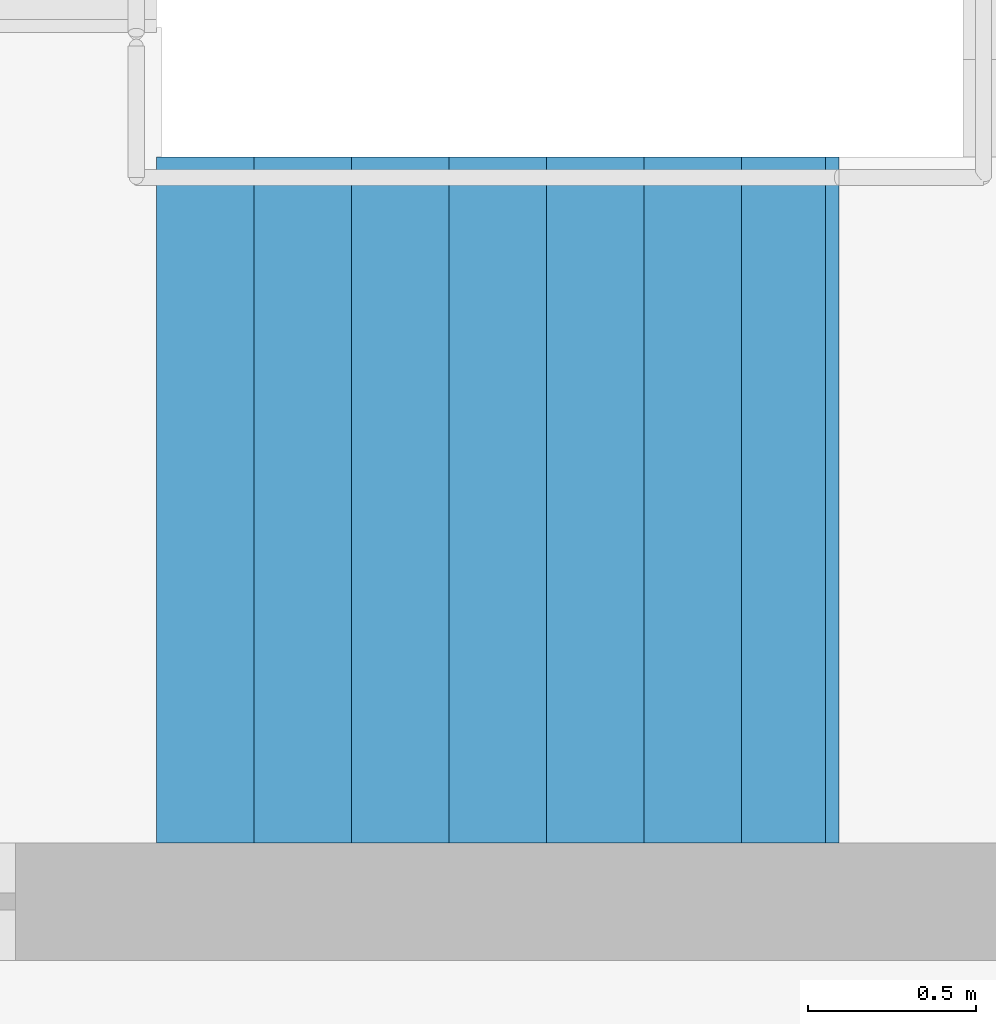
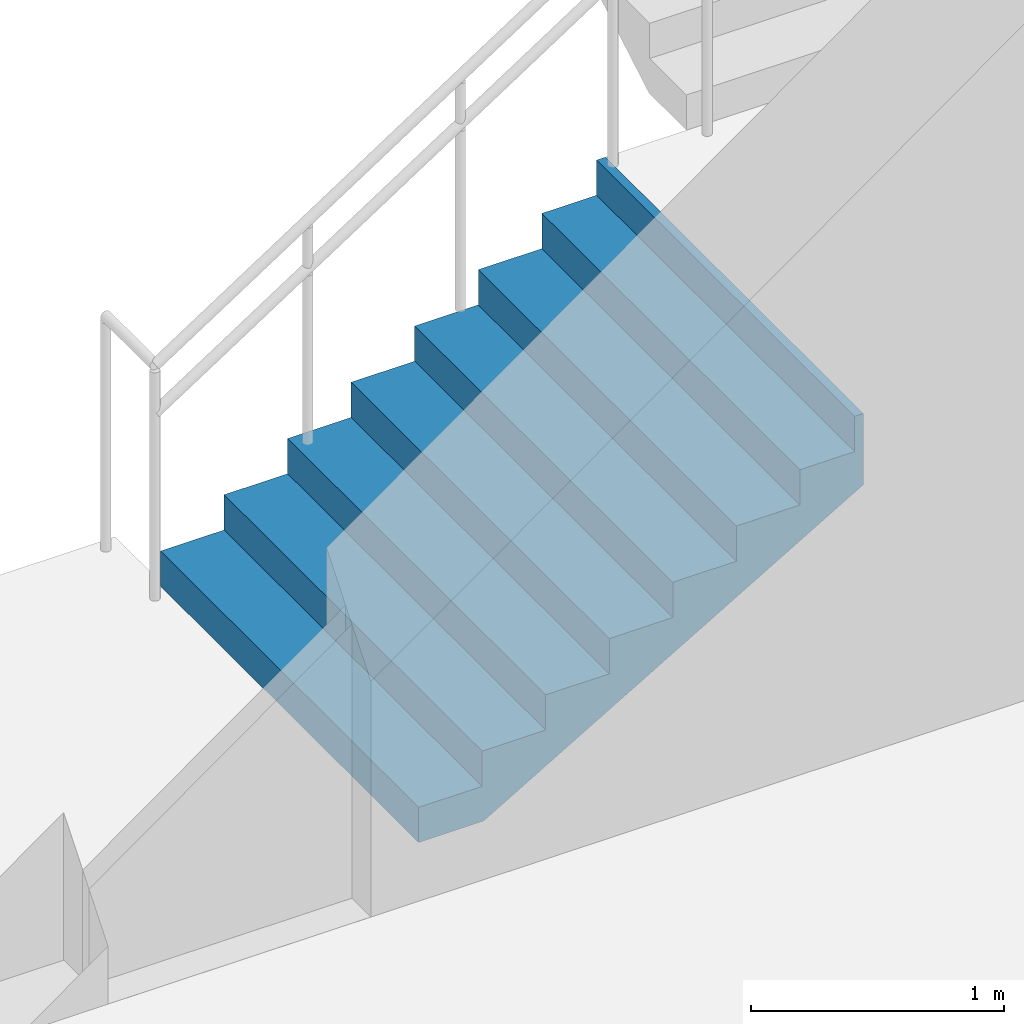
# One storey, part 50 of 72: 1 stair flight, 1 element without a shape of its own.
"""IFC4 building model written with IfcOpenShell, lengths in metres."""

from ifc_helpers import new_model, si_unit, direction, frame, origin, place, context, subcontext, project, spatial, triangles, material, type_object, element, aggregate, save


model = new_model("IFC4")

# Units and contexts
model_context = context("Model", 3, precision=1e-05, world=origin(), true_north=direction((0.0, 1.0)))
body_context = subcontext(model_context, "Body", "Model", "MODEL_VIEW")
ifc_project = project(units=[si_unit("LENGTHUNIT", "METRE"), si_unit("AREAUNIT", "SQUARE_METRE"), si_unit("VOLUMEUNIT", "CUBIC_METRE"), si_unit("PLANEANGLEUNIT", "RADIAN"), si_unit("MASSUNIT", "GRAM", prefix="KILO")], contexts=[model_context])

# Site, building, storey
site_placement = place(None, origin())
site = spatial("IfcSite", under=ifc_project, at=site_placement, CompositionType="ELEMENT")
building_placement = place(site_placement, origin())
building = spatial("IfcBuilding", under=site, at=building_placement, Name="Sillaruma Civic Art Gallery", CompositionType="ELEMENT")
storey_placement = place(building_placement, frame((0.0, 0.0, 10.8798828125)))
storey = spatial("IfcBuildingStorey", under=building, at=storey_placement, Name="L02", CompositionType="ELEMENT", Elevation=10.8798828125)

# Stair, stair flight
ifc_material = material(Name="Concrete H35 (35 MPa)", Category="concrete")
stair_type = type_object("IfcStairType", Name="STR-4F-32", PredefinedType="USERDEFINED", material=ifc_material)
stair_placement = place(storey_placement, origin())
stair = element("IfcStair", 1, at=stair_placement, inside=storey, type_object=stair_type, Name="Protected Exit Stair ST-03 (West Bar South) (L02)", ObjectType="THREE_RETURN_STAIR", PredefinedType="USERDEFINED")
stair_flight_type = type_object("IfcStairFlightType", Name="SFL-STR-8", PredefinedType="STRAIGHT", material=ifc_material)
stair_flight_placement = place(storey_placement, frame((64.800048828125, 32.429931640625, 0.0), z_axis=(0.0, 0.0, 1.0), x_axis=(1.0, 0.0, 0.0)))
stair_flight = element("IfcStairFlight", 2, at=stair_flight_placement, type_object=stair_flight_type, Name="ST-03 flight 1", NumberOfRisers=8, NumberOfTreads=7, PredefinedType="STRAIGHT", RiserHeight=0.17, TreadLength=0.29, context=body_context, shape_type="Tessellation", body=[
    triangles([(0.0, -1.02001953125, 0.0), (0.29, -1.02001953125, 0.0), (0.296443, -1.02001953125, 0.0), (0.58, -1.02001953125, 0.166223), (0.87, -1.02001953125, 0.336223), (1.16, -1.02001953125, 0.506223), (1.45, -1.02001953125, 0.676223), (1.74, -1.02001953125, 0.846223), (1.990029, -1.02001953125, 0.992792), (2.030029, -1.02001953125, 1.01624), (2.030029, -1.02001953125, 1.36), (1.990029, -1.02001953125, 1.36), (1.990029, -1.02001953125, 1.19), (1.74, -1.02001953125, 1.19), (1.74, -1.02001953125, 1.02), (1.45, -1.02001953125, 1.02), (1.45, -1.02001953125, 0.85), (1.16, -1.02001953125, 0.85), (1.16, -1.02001953125, 0.68), (0.87, -1.02001953125, 0.68), (0.87, -1.02001953125, 0.51), (0.58, -1.02001953125, 0.51), (0.58, -1.02001953125, 0.34), (0.296443, -1.02001953125, 0.34), (0.29, -1.02001953125, 0.34), (0.29, -1.02001953125, 0.17), (0.0, -1.02001953125, 0.17), (0.0, -0.05, 0.0), (0.29, -0.05, 0.0), (0.296443, -0.05, 0.0), (0.58, -0.05, 0.166223), (0.87, -0.05, 0.336223), (1.16, -0.05, 0.506223), (1.45, -0.05, 0.676223), (1.74, -0.05, 0.846223), (1.990029, -0.05, 0.992792), (2.030029, -0.05, 1.01624), (2.030029, -0.05, 1.36), (1.990029, -0.05, 1.36), (1.990029, -0.05, 1.19), (1.74, -0.05, 1.19), (1.74, -0.05, 1.02), (1.45, -0.05, 1.02), (1.45, -0.05, 0.85), (1.16, -0.05, 0.85), (1.16, -0.05, 0.68), (0.87, -0.05, 0.68), (0.87, -0.05, 0.51), (0.58, -0.05, 0.51), (0.58, -0.05, 0.34), (0.296443, -0.05, 0.34), (0.29, -0.05, 0.34), (0.29, -0.05, 0.17), (0.0, -0.05, 0.17), (0.0, -0.0375, 0.0), (0.29, -0.0375, 0.0), (0.296443, -0.0375, 0.0), (0.58, -0.0375, 0.166223), (0.87, -0.0375, 0.336223), (1.16, -0.0375, 0.506223), (1.45, -0.0375, 0.676223), (1.74, -0.0375, 0.846223), (1.990029, -0.0375, 0.992792), (2.030029, -0.0375, 1.01624), (2.030029, -0.0375, 1.36), (1.990029, -0.0375, 1.36), (1.990029, -0.0375, 1.19), (1.74, -0.0375, 1.19), (1.74, -0.0375, 1.02), (1.45, -0.0375, 1.02), (1.45, -0.0375, 0.85), (1.16, -0.0375, 0.85), (1.16, -0.0375, 0.68), (0.87, -0.0375, 0.68), (0.87, -0.0375, 0.51), (0.58, -0.0375, 0.51), (0.58, -0.0375, 0.34), (0.296443, -0.0375, 0.34), (0.29, -0.0375, 0.34), (0.29, -0.0375, 0.17), (0.0, -0.0375, 0.17), (0.0, -0.025, 0.0), (0.29, -0.025, 0.0), (0.296443, -0.025, 0.0), (0.58, -0.025, 0.166223), (0.87, -0.025, 0.336223), (1.16, -0.025, 0.506223), (1.45, -0.025, 0.676223), (1.74, -0.025, 0.846223), (1.990029, -0.025, 0.992792), (2.030029, -0.025, 1.01624), (2.030029, -0.025, 1.36), (1.990029, -0.025, 1.36), (1.990029, -0.025, 1.19), (1.74, -0.025, 1.19), (1.74, -0.025, 1.02), (1.45, -0.025, 1.02), (1.45, -0.025, 0.85), (1.16, -0.025, 0.85), (1.16, -0.025, 0.68), (0.87, -0.025, 0.68), (0.87, -0.025, 0.51), (0.58, -0.025, 0.51), (0.58, -0.025, 0.34), (0.296443, -0.025, 0.34), (0.29, -0.025, 0.34), (0.29, -0.025, 0.17), (0.0, -0.025, 0.17), (0.0, -0.0125, 0.0), (0.29, -0.0125, 0.0), (0.296443, -0.0125, 0.0), (0.58, -0.0125, 0.166223), (0.87, -0.0125, 0.336223), (1.16, -0.0125, 0.506223), (1.45, -0.0125, 0.676223), (1.74, -0.0125, 0.846223), (1.990029, -0.0125, 0.992792), (2.030029, -0.0125, 1.01624), (2.030029, -0.0125, 1.36), (1.990029, -0.0125, 1.36), (1.990029, -0.0125, 1.19), (1.74, -0.0125, 1.19), (1.74, -0.0125, 1.02), (1.45, -0.0125, 1.02), (1.45, -0.0125, 0.85), (1.16, -0.0125, 0.85), (1.16, -0.0125, 0.68), (0.87, -0.0125, 0.68), (0.87, -0.0125, 0.51), (0.58, -0.0125, 0.51), (0.58, -0.0125, 0.34), (0.296443, -0.0125, 0.34), (0.29, -0.0125, 0.34), (0.29, -0.0125, 0.17), (0.0, -0.0125, 0.17), (0.0, 0.0, 0.0), (0.29, 0.0, 0.0), (0.296443, 0.0, 0.0), (0.58, 0.0, 0.166223), (0.87, 0.0, 0.336223), (1.16, 0.0, 0.506223), (1.45, 0.0, 0.676223), (1.74, 0.0, 0.846223), (1.990029, 0.0, 0.992792), (2.030029, 0.0, 1.01624), (2.030029, 0.0, 1.36), (1.990029, 0.0, 1.36), (1.990029, 0.0, 1.19), (1.74, 0.0, 1.19), (1.74, 0.0, 1.02), (1.45, 0.0, 1.02), (1.45, 0.0, 0.85), (1.16, 0.0, 0.85), (1.16, 0.0, 0.68), (0.87, 0.0, 0.68), (0.87, 0.0, 0.51), (0.58, 0.0, 0.51), (0.58, 0.0, 0.34), (0.296443, 0.0, 0.34), (0.29, 0.0, 0.34), (0.29, 0.0, 0.17), (0.0, 0.0, 0.17), (0.0, 0.0125, 0.0), (0.29, 0.0125, 0.0), (0.296443, 0.0125, 0.0), (0.58, 0.0125, 0.166223), (0.87, 0.0125, 0.336223), (1.16, 0.0125, 0.506223), (1.45, 0.0125, 0.676223), (1.74, 0.0125, 0.846223), (1.990029, 0.0125, 0.992792), (2.030029, 0.0125, 1.01624), (2.030029, 0.0125, 1.36), (1.990029, 0.0125, 1.36), (1.990029, 0.0125, 1.19), (1.74, 0.0125, 1.19), (1.74, 0.0125, 1.02), (1.45, 0.0125, 1.02), (1.45, 0.0125, 0.85), (1.16, 0.0125, 0.85), (1.16, 0.0125, 0.68), (0.87, 0.0125, 0.68), (0.87, 0.0125, 0.51), (0.58, 0.0125, 0.51), (0.58, 0.0125, 0.34), (0.296443, 0.0125, 0.34), (0.29, 0.0125, 0.34), (0.29, 0.0125, 0.17), (0.0, 0.0125, 0.17), (0.0, 0.025, 0.0), (0.29, 0.025, 0.0), (0.296443, 0.025, 0.0), (0.58, 0.025, 0.166223), (0.87, 0.025, 0.336223), (1.16, 0.025, 0.506223), (1.45, 0.025, 0.676223), (1.74, 0.025, 0.846223), (1.990029, 0.025, 0.992792), (2.030029, 0.025, 1.01624), (2.030029, 0.025, 1.36), (1.990029, 0.025, 1.36), (1.990029, 0.025, 1.19), (1.74, 0.025, 1.19), (1.74, 0.025, 1.02), (1.45, 0.025, 1.02), (1.45, 0.025, 0.85), (1.16, 0.025, 0.85), (1.16, 0.025, 0.68), (0.87, 0.025, 0.68), (0.87, 0.025, 0.51), (0.58, 0.025, 0.51), (0.58, 0.025, 0.34), (0.296443, 0.025, 0.34), (0.29, 0.025, 0.34), (0.29, 0.025, 0.17), (0.0, 0.025, 0.17), (0.0, 0.0375, 0.0), (0.29, 0.0375, 0.0), (0.296443, 0.0375, 0.0), (0.58, 0.0375, 0.166223), (0.87, 0.0375, 0.336223), (1.16, 0.0375, 0.506223), (1.45, 0.0375, 0.676223), (1.74, 0.0375, 0.846223), (1.990029, 0.0375, 0.992792), (2.030029, 0.0375, 1.01624), (2.030029, 0.0375, 1.36), (1.990029, 0.0375, 1.36), (1.990029, 0.0375, 1.19), (1.74, 0.0375, 1.19), (1.74, 0.0375, 1.02), (1.45, 0.0375, 1.02), (1.45, 0.0375, 0.85), (1.16, 0.0375, 0.85), (1.16, 0.0375, 0.68), (0.87, 0.0375, 0.68), (0.87, 0.0375, 0.51), (0.58, 0.0375, 0.51), (0.58, 0.0375, 0.34), (0.296443, 0.0375, 0.34), (0.29, 0.0375, 0.34), (0.29, 0.0375, 0.17), (0.0, 0.0375, 0.17), (0.0, 0.05, 0.0), (0.29, 0.05, 0.0), (0.296443, 0.05, 0.0), (0.58, 0.05, 0.166223), (0.87, 0.05, 0.336223), (1.16, 0.05, 0.506223), (1.45, 0.05, 0.676223), (1.74, 0.05, 0.846223), (1.990029, 0.05, 0.992792), (2.030029, 0.05, 1.01624), (2.030029, 0.05, 1.36), (1.990029, 0.05, 1.36), (1.990029, 0.05, 1.19), (1.74, 0.05, 1.19), (1.74, 0.05, 1.02), (1.45, 0.05, 1.02), (1.45, 0.05, 0.85), (1.16, 0.05, 0.85), (1.16, 0.05, 0.68), (0.87, 0.05, 0.68), (0.87, 0.05, 0.51), (0.58, 0.05, 0.51), (0.58, 0.05, 0.34), (0.296443, 0.05, 0.34), (0.29, 0.05, 0.34), (0.29, 0.05, 0.17), (0.0, 0.05, 0.17), (0.0, 1.02001953125, 0.0), (0.29, 1.02001953125, 0.0), (0.296443, 1.02001953125, 0.0), (0.58, 1.02001953125, 0.166223), (0.87, 1.02001953125, 0.336223), (1.16, 1.02001953125, 0.506223), (1.45, 1.02001953125, 0.676223), (1.74, 1.02001953125, 0.846223), (1.990029, 1.02001953125, 0.992792), (2.030029, 1.02001953125, 1.01624), (2.030029, 1.02001953125, 1.36), (1.990029, 1.02001953125, 1.36), (1.990029, 1.02001953125, 1.19), (1.74, 1.02001953125, 1.19), (1.74, 1.02001953125, 1.02), (1.45, 1.02001953125, 1.02), (1.45, 1.02001953125, 0.85), (1.16, 1.02001953125, 0.85), (1.16, 1.02001953125, 0.68), (0.87, 1.02001953125, 0.68), (0.87, 1.02001953125, 0.51), (0.58, 1.02001953125, 0.51), (0.58, 1.02001953125, 0.34), (0.296443, 1.02001953125, 0.34), (0.29, 1.02001953125, 0.34), (0.29, 1.02001953125, 0.17), (0.0, 1.02001953125, 0.17)], [[1, 2, 26], [1, 26, 27], [2, 3, 24], [2, 24, 26], [26, 24, 25], [3, 4, 23], [3, 23, 24], [4, 5, 21], [4, 21, 23], [23, 21, 22], [5, 6, 19], [5, 19, 21], [21, 19, 20], [6, 7, 17], [6, 17, 19], [19, 17, 18], [7, 8, 15], [7, 15, 17], [17, 15, 16], [8, 9, 13], [8, 13, 15], [15, 13, 14], [9, 10, 11], [9, 11, 13], [13, 11, 12], [296, 272, 271], [297, 296, 271], [294, 273, 272], [296, 294, 272], [295, 294, 296], [293, 274, 273], [294, 293, 273], [291, 275, 274], [293, 291, 274], [292, 291, 293], [289, 276, 275], [291, 289, 275], [290, 289, 291], [287, 277, 276], [289, 287, 276], [288, 287, 289], [285, 278, 277], [287, 285, 277], [286, 285, 287], [283, 279, 278], [285, 283, 278], [284, 283, 285], [281, 280, 279], [283, 281, 279], [282, 281, 283], [2, 1, 28], [2, 28, 29], [3, 2, 29], [3, 29, 30], [4, 3, 30], [4, 30, 31], [5, 4, 31], [5, 31, 32], [6, 5, 32], [6, 32, 33], [7, 6, 33], [7, 33, 34], [8, 7, 34], [8, 34, 35], [9, 8, 35], [9, 35, 36], [10, 9, 36], [10, 36, 37], [11, 10, 37], [11, 37, 38], [12, 11, 38], [12, 38, 39], [13, 12, 39], [13, 39, 40], [14, 13, 40], [14, 40, 41], [15, 14, 41], [15, 41, 42], [16, 15, 42], [16, 42, 43], [17, 16, 43], [17, 43, 44], [18, 17, 44], [18, 44, 45], [19, 18, 45], [19, 45, 46], [20, 19, 46], [20, 46, 47], [21, 20, 47], [21, 47, 48], [22, 21, 48], [22, 48, 49], [23, 22, 49], [23, 49, 50], [24, 23, 50], [24, 50, 51], [25, 24, 51], [25, 51, 52], [26, 25, 52], [26, 52, 53], [27, 26, 53], [27, 53, 54], [1, 27, 54], [1, 54, 28], [29, 28, 55], [29, 55, 56], [30, 29, 56], [30, 56, 57], [31, 30, 57], [31, 57, 58], [32, 31, 58], [32, 58, 59], [33, 32, 59], [33, 59, 60], [34, 33, 60], [34, 60, 61], [35, 34, 61], [35, 61, 62], [36, 35, 62], [36, 62, 63], [37, 36, 63], [37, 63, 64], [38, 37, 64], [38, 64, 65], [39, 38, 65], [39, 65, 66], [40, 39, 66], [40, 66, 67], [41, 40, 67], [41, 67, 68], [42, 41, 68], [42, 68, 69], [43, 42, 69], [43, 69, 70], [44, 43, 70], [44, 70, 71], [45, 44, 71], [45, 71, 72], [46, 45, 72], [46, 72, 73], [47, 46, 73], [47, 73, 74], [48, 47, 74], [48, 74, 75], [49, 48, 75], [49, 75, 76], [50, 49, 76], [50, 76, 77], [51, 50, 77], [51, 77, 78], [52, 51, 78], [52, 78, 79], [53, 52, 79], [53, 79, 80], [54, 53, 80], [54, 80, 81], [28, 54, 81], [28, 81, 55], [56, 55, 82], [56, 82, 83], [57, 56, 83], [57, 83, 84], [58, 57, 84], [58, 84, 85], [59, 58, 85], [59, 85, 86], [60, 59, 86], [60, 86, 87], [61, 60, 87], [61, 87, 88], [62, 61, 88], [62, 88, 89], [63, 62, 89], [63, 89, 90], [64, 63, 90], [64, 90, 91], [65, 64, 91], [65, 91, 92], [66, 65, 92], [66, 92, 93], [67, 66, 93], [67, 93, 94], [68, 67, 94], [68, 94, 95], [69, 68, 95], [69, 95, 96], [70, 69, 96], [70, 96, 97], [71, 70, 97], [71, 97, 98], [72, 71, 98], [72, 98, 99], [73, 72, 99], [73, 99, 100], [74, 73, 100], [74, 100, 101], [75, 74, 101], [75, 101, 102], [76, 75, 102], [76, 102, 103], [77, 76, 103], [77, 103, 104], [78, 77, 104], [78, 104, 105], [79, 78, 105], [79, 105, 106], [80, 79, 106], [80, 106, 107], [81, 80, 107], [81, 107, 108], [55, 81, 108], [55, 108, 82], [83, 82, 109], [83, 109, 110], [84, 83, 110], [84, 110, 111], [85, 84, 111], [85, 111, 112], [86, 85, 112], [86, 112, 113], [87, 86, 113], [87, 113, 114], [88, 87, 114], [88, 114, 115], [89, 88, 115], [89, 115, 116], [90, 89, 116], [90, 116, 117], [91, 90, 117], [91, 117, 118], [92, 91, 118], [92, 118, 119], [93, 92, 119], [93, 119, 120], [94, 93, 120], [94, 120, 121], [95, 94, 121], [95, 121, 122], [96, 95, 122], [96, 122, 123], [97, 96, 123], [97, 123, 124], [98, 97, 124], [98, 124, 125], [99, 98, 125], [99, 125, 126], [100, 99, 126], [100, 126, 127], [101, 100, 127], [101, 127, 128], [102, 101, 128], [102, 128, 129], [103, 102, 129], [103, 129, 130], [104, 103, 130], [104, 130, 131], [105, 104, 131], [105, 131, 132], [106, 105, 132], [106, 132, 133], [107, 106, 133], [107, 133, 134], [108, 107, 134], [108, 134, 135], [82, 108, 135], [82, 135, 109], [110, 109, 136], [110, 136, 137], [111, 110, 137], [111, 137, 138], [112, 111, 138], [112, 138, 139], [113, 112, 139], [113, 139, 140], [114, 113, 140], [114, 140, 141], [115, 114, 141], [115, 141, 142], [116, 115, 142], [116, 142, 143], [117, 116, 143], [117, 143, 144], [118, 117, 144], [118, 144, 145], [119, 118, 145], [119, 145, 146], [120, 119, 146], [120, 146, 147], [121, 120, 147], [121, 147, 148], [122, 121, 148], [122, 148, 149], [123, 122, 149], [123, 149, 150], [124, 123, 150], [124, 150, 151], [125, 124, 151], [125, 151, 152], [126, 125, 152], [126, 152, 153], [127, 126, 153], [127, 153, 154], [128, 127, 154], [128, 154, 155], [129, 128, 155], [129, 155, 156], [130, 129, 156], [130, 156, 157], [131, 130, 157], [131, 157, 158], [132, 131, 158], [132, 158, 159], [133, 132, 159], [133, 159, 160], [134, 133, 160], [134, 160, 161], [135, 134, 161], [135, 161, 162], [109, 135, 162], [109, 162, 136], [137, 136, 163], [137, 163, 164], [138, 137, 164], [138, 164, 165], [139, 138, 165], [139, 165, 166], [140, 139, 166], [140, 166, 167], [141, 140, 167], [141, 167, 168], [142, 141, 168], [142, 168, 169], [143, 142, 169], [143, 169, 170], [144, 143, 170], [144, 170, 171], [145, 144, 171], [145, 171, 172], [146, 145, 172], [146, 172, 173], [147, 146, 173], [147, 173, 174], [148, 147, 174], [148, 174, 175], [149, 148, 175], [149, 175, 176], [150, 149, 176], [150, 176, 177], [151, 150, 177], [151, 177, 178], [152, 151, 178], [152, 178, 179], [153, 152, 179], [153, 179, 180], [154, 153, 180], [154, 180, 181], [155, 154, 181], [155, 181, 182], [156, 155, 182], [156, 182, 183], [157, 156, 183], [157, 183, 184], [158, 157, 184], [158, 184, 185], [159, 158, 185], [159, 185, 186], [160, 159, 186], [160, 186, 187], [161, 160, 187], [161, 187, 188], [162, 161, 188], [162, 188, 189], [136, 162, 189], [136, 189, 163], [164, 163, 190], [164, 190, 191], [165, 164, 191], [165, 191, 192], [166, 165, 192], [166, 192, 193], [167, 166, 193], [167, 193, 194], [168, 167, 194], [168, 194, 195], [169, 168, 195], [169, 195, 196], [170, 169, 196], [170, 196, 197], [171, 170, 197], [171, 197, 198], [172, 171, 198], [172, 198, 199], [173, 172, 199], [173, 199, 200], [174, 173, 200], [174, 200, 201], [175, 174, 201], [175, 201, 202], [176, 175, 202], [176, 202, 203], [177, 176, 203], [177, 203, 204], [178, 177, 204], [178, 204, 205], [179, 178, 205], [179, 205, 206], [180, 179, 206], [180, 206, 207], [181, 180, 207], [181, 207, 208], [182, 181, 208], [182, 208, 209], [183, 182, 209], [183, 209, 210], [184, 183, 210], [184, 210, 211], [185, 184, 211], [185, 211, 212], [186, 185, 212], [186, 212, 213], [187, 186, 213], [187, 213, 214], [188, 187, 214], [188, 214, 215], [189, 188, 215], [189, 215, 216], [163, 189, 216], [163, 216, 190], [191, 190, 217], [191, 217, 218], [192, 191, 218], [192, 218, 219], [193, 192, 219], [193, 219, 220], [194, 193, 220], [194, 220, 221], [195, 194, 221], [195, 221, 222], [196, 195, 222], [196, 222, 223], [197, 196, 223], [197, 223, 224], [198, 197, 224], [198, 224, 225], [199, 198, 225], [199, 225, 226], [200, 199, 226], [200, 226, 227], [201, 200, 227], [201, 227, 228], [202, 201, 228], [202, 228, 229], [203, 202, 229], [203, 229, 230], [204, 203, 230], [204, 230, 231], [205, 204, 231], [205, 231, 232], [206, 205, 232], [206, 232, 233], [207, 206, 233], [207, 233, 234], [208, 207, 234], [208, 234, 235], [209, 208, 235], [209, 235, 236], [210, 209, 236], [210, 236, 237], [211, 210, 237], [211, 237, 238], [212, 211, 238], [212, 238, 239], [213, 212, 239], [213, 239, 240], [214, 213, 240], [214, 240, 241], [215, 214, 241], [215, 241, 242], [216, 215, 242], [216, 242, 243], [190, 216, 243], [190, 243, 217], [218, 217, 244], [218, 244, 245], [219, 218, 245], [219, 245, 246], [220, 219, 246], [220, 246, 247], [221, 220, 247], [221, 247, 248], [222, 221, 248], [222, 248, 249], [223, 222, 249], [223, 249, 250], [224, 223, 250], [224, 250, 251], [225, 224, 251], [225, 251, 252], [226, 225, 252], [226, 252, 253], [227, 226, 253], [227, 253, 254], [228, 227, 254], [228, 254, 255], [229, 228, 255], [229, 255, 256], [230, 229, 256], [230, 256, 257], [231, 230, 257], [231, 257, 258], [232, 231, 258], [232, 258, 259], [233, 232, 259], [233, 259, 260], [234, 233, 260], [234, 260, 261], [235, 234, 261], [235, 261, 262], [236, 235, 262], [236, 262, 263], [237, 236, 263], [237, 263, 264], [238, 237, 264], [238, 264, 265], [239, 238, 265], [239, 265, 266], [240, 239, 266], [240, 266, 267], [241, 240, 267], [241, 267, 268], [242, 241, 268], [242, 268, 269], [243, 242, 269], [243, 269, 270], [217, 243, 270], [217, 270, 244], [245, 244, 271], [245, 271, 272], [246, 245, 272], [246, 272, 273], [247, 246, 273], [247, 273, 274], [248, 247, 274], [248, 274, 275], [249, 248, 275], [249, 275, 276], [250, 249, 276], [250, 276, 277], [251, 250, 277], [251, 277, 278], [252, 251, 278], [252, 278, 279], [253, 252, 279], [253, 279, 280], [254, 253, 280], [254, 280, 281], [255, 254, 281], [255, 281, 282], [256, 255, 282], [256, 282, 283], [257, 256, 283], [257, 283, 284], [258, 257, 284], [258, 284, 285], [259, 258, 285], [259, 285, 286], [260, 259, 286], [260, 286, 287], [261, 260, 287], [261, 287, 288], [262, 261, 288], [262, 288, 289], [263, 262, 289], [263, 289, 290], [264, 263, 290], [264, 290, 291], [265, 264, 291], [265, 291, 292], [266, 265, 292], [266, 292, 293], [267, 266, 293], [267, 293, 294], [268, 267, 294], [268, 294, 295], [269, 268, 295], [269, 295, 296], [270, 269, 296], [270, 296, 297], [244, 270, 297], [244, 297, 271]], closed=True),
])
aggregate(stair, [stair_flight])

save(model, "model.ifc")
